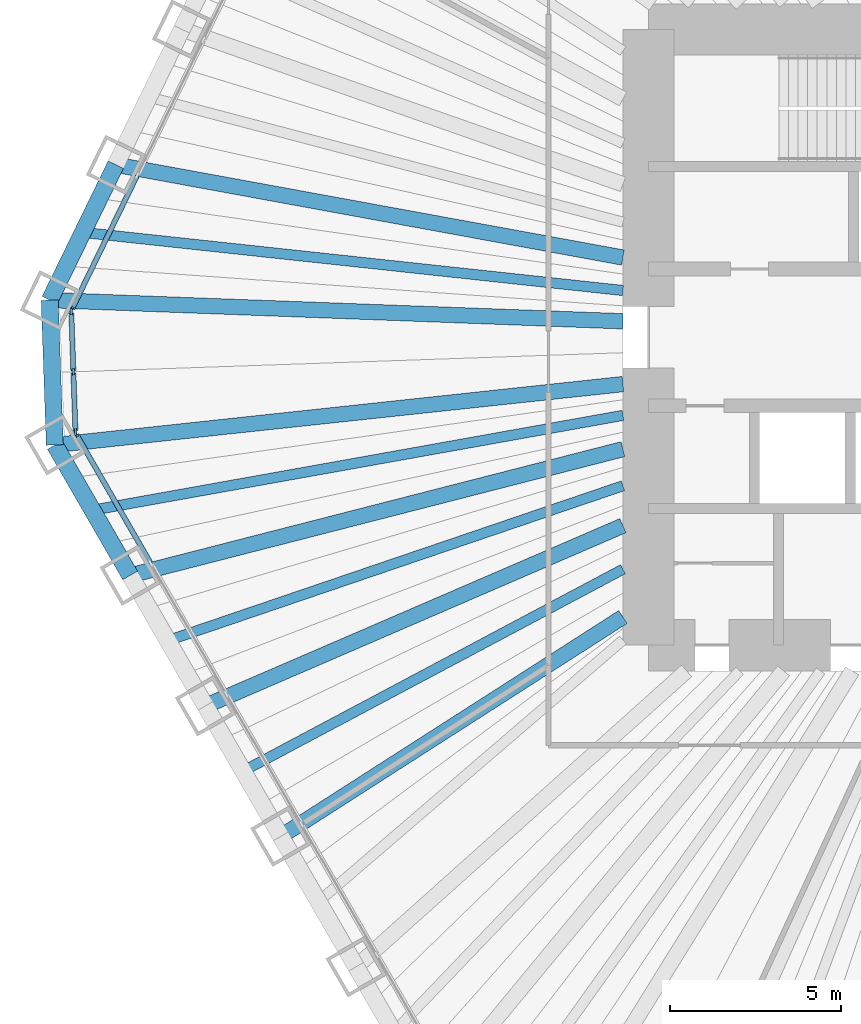
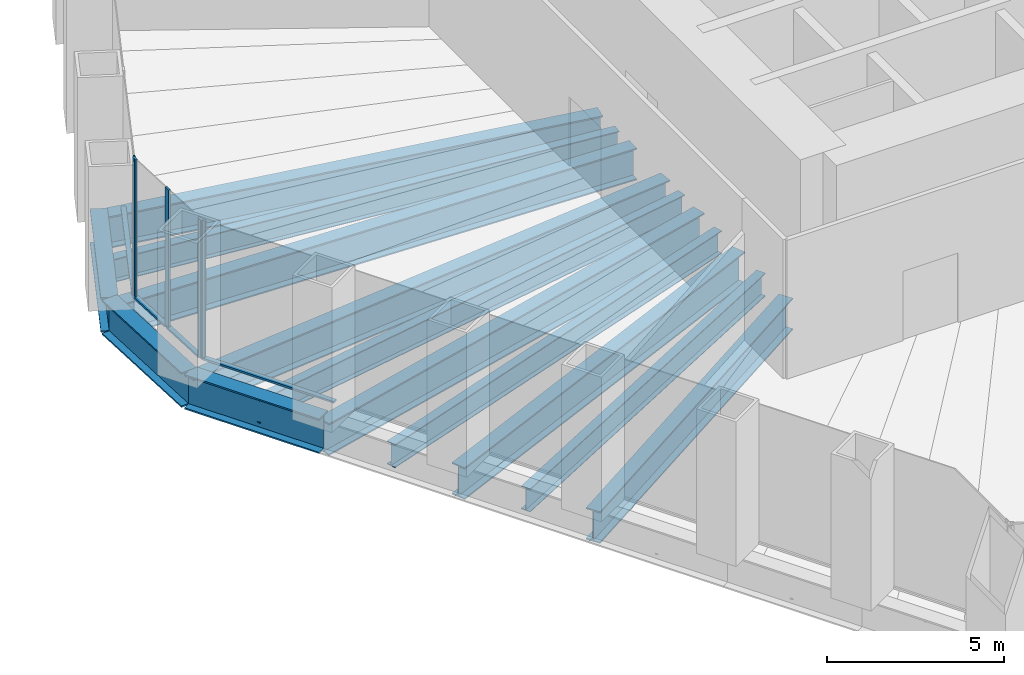
# One storey, part 3 of 14: 13 beams, 9 members, 3 elements without a shape of their own.
"""IFC4 building model written with IfcOpenShell, lengths in metres."""

from ifc_helpers import new_model, si_unit, direction, frame, origin, origin_2d, place, context, subcontext, project, spatial, rectangle, i_section, extrude, material, material_profile, profile_set, type_object, element, aggregate, save


model = new_model("IFC4")

# Units and contexts
model_context = context("Model", 3, precision=1e-05, world=origin(), true_north=direction((0.0, 1.0)))
body_context = subcontext(model_context, "Body", "Model", "MODEL_VIEW")
ifc_project = project(units=[si_unit("LENGTHUNIT", "METRE"), si_unit("AREAUNIT", "SQUARE_METRE"), si_unit("VOLUMEUNIT", "CUBIC_METRE"), si_unit("PLANEANGLEUNIT", "RADIAN"), si_unit("MASSUNIT", "GRAM", prefix="KILO")], contexts=[model_context])

# Site, building, storey
site_placement = place(None, origin())
site = spatial("IfcSite", under=ifc_project, at=site_placement, CompositionType="ELEMENT")
building_placement = place(site_placement, origin())
building = spatial("IfcBuilding", under=site, at=building_placement, Name="Qingtian Harvest Tower", CompositionType="ELEMENT")
storey_placement = place(building_placement, frame((0.0, 0.0, 52.0)))
storey = spatial("IfcBuildingStorey", under=building, at=storey_placement, Name="L10", CompositionType="ELEMENT", Elevation=52.0)

# Beams
ifc_material_1 = material(Name="Steel SM570MC", Category="steel")
ifc_material_profile_1 = material_profile(ifc_material_1, i_section(OverallWidth=0.449951171875, OverallDepth=1.10009765625, WebThickness=0.02197265625, FlangeThickness=0.044921875, at=origin_2d()), Name="H1100x450x22x45")
ifc_profile_set_1 = profile_set([ifc_material_profile_1], Name="Steel SM570MC")
beam_type_1 = type_object("IfcBeamType", Name="Corner floor beam FB8 H1100x450x22x45", PredefinedType="BEAM", material=ifc_profile_set_1)
beam_1_placement = place(storey_placement, frame((-29.36083984375, -3.145751953125, -0.75), z_axis=(0.994308822197, 0.106536219669, 0.0), x_axis=(-0.106536219669, 0.994308822197, 0.0)))
element("IfcBeam", 1, at=beam_1_placement, inside=storey, type_object=beam_type_1, Name="Floor beam FB8 SW6", PredefinedType="BEAM", context=body_context, shape_type="SweptSolid", body=[
    extrude(i_section(OverallWidth=0.449951171875, OverallDepth=1.10009765625, WebThickness=0.02197265625, FlangeThickness=0.044921875, at=origin_2d()), origin(), (0.0, 0.0, 1.0), 16.705810546875),
])
beam_2_placement = place(storey_placement, frame((-29.5087890625, 1.08984375, -0.75), z_axis=(0.999318796571, -0.036904509488, 0.0), x_axis=(0.036904509488, 0.999318796571, 0.0)))
element("IfcBeam", 2, at=beam_2_placement, inside=storey, type_object=beam_type_1, Name="Floor beam FB8 NW0", PredefinedType="BEAM", context=body_context, shape_type="SweptSolid", body=[
    extrude(i_section(OverallWidth=0.449951171875, OverallDepth=1.10009765625, WebThickness=0.02197265625, FlangeThickness=0.044921875, at=origin_2d()), origin(), (0.0, 0.0, 1.0), 16.770263671875),
])
ifc_material_2 = material(Name="Steel SM570MC", Category="steel")
ifc_material_profile_2 = material_profile(ifc_material_2, i_section(OverallWidth=0.449951171875, OverallDepth=1.10009765625, WebThickness=0.02197265625, FlangeThickness=0.044921875, at=origin_2d()), Name="H1100x450x22x45")
ifc_profile_set_2 = profile_set([ifc_material_profile_2], Name="Steel SM570MC")
beam_type_2 = type_object("IfcBeamType", Name="Floor beam FB1 H1100x450x22x45", PredefinedType="BEAM", material=ifc_profile_set_2)
beam_3_placement = place(storey_placement, frame((-22.75390625, -14.589111328125, -0.75), z_axis=(0.841829353865, 0.539743771591, 0.0), x_axis=(-0.539743771591, 0.841829353865, 0.0)))
element("IfcBeam", 3, at=beam_3_placement, inside=storey, type_object=beam_type_2, Name="Floor beam FB1 SW3", PredefinedType="BEAM", context=body_context, shape_type="SweptSolid", body=[
    extrude(i_section(OverallWidth=0.449951171875, OverallDepth=1.10009765625, WebThickness=0.02197265625, FlangeThickness=0.044921875, at=origin_2d()), origin(), (0.0, 0.0, 1.0), 11.883544921875),
])
beam_4_placement = place(storey_placement, frame((-24.9560546875, -10.774658203125, -0.75), z_axis=(0.918083617325, 0.396386770213, 0.0), x_axis=(-0.396386770213, 0.918083617325, 0.0)))
element("IfcBeam", 4, at=beam_4_placement, inside=storey, type_object=beam_type_2, Name="Floor beam FB1 SW4", PredefinedType="BEAM", context=body_context, shape_type="SweptSolid", body=[
    extrude(i_section(OverallWidth=0.449951171875, OverallDepth=1.10009765625, WebThickness=0.02197265625, FlangeThickness=0.044921875, at=origin_2d()), origin(), (0.0, 0.0, 1.0), 13.295166015625),
])
beam_5_placement = place(storey_placement, frame((-27.158447265625, -6.960205078125, -0.75), z_axis=(0.968693729942, 0.248258851947, 0.0), x_axis=(-0.248258851947, 0.968693729942, 0.0)))
element("IfcBeam", 5, at=beam_5_placement, inside=storey, type_object=beam_type_2, Name="Floor beam FB1 SW5", PredefinedType="BEAM", context=body_context, shape_type="SweptSolid", body=[
    extrude(i_section(OverallWidth=0.449951171875, OverallDepth=1.10009765625, WebThickness=0.02197265625, FlangeThickness=0.044921875, at=origin_2d()), origin(), (0.0, 0.0, 1.0), 14.8740234375),
])
beam_6_placement = place(storey_placement, frame((-27.577880859375, 5.048828125, -0.75), z_axis=(0.98365177106, -0.180081074215, 0.0), x_axis=(0.180081074215, 0.98365177106, 0.0)))
element("IfcBeam", 6, at=beam_6_placement, inside=storey, type_object=beam_type_2, Name="Floor beam FB1 NW1", PredefinedType="BEAM", context=body_context, shape_type="SweptSolid", body=[
    extrude(i_section(OverallWidth=0.449951171875, OverallDepth=1.10009765625, WebThickness=0.02197265625, FlangeThickness=0.044921875, at=origin_2d()), origin(), (0.0, 0.0, 1.0), 15.07421875),
])
ifc_material_3 = material(Name="Steel SN490B", Category="steel")
ifc_material_profile_3 = material_profile(ifc_material_3, i_section(OverallWidth=0.300048828125, OverallDepth=0.800048828125, WebThickness=0.013916015625, FlangeThickness=0.02587890625, at=origin_2d()), Name="H800x300x14x26")
ifc_profile_set_3 = profile_set([ifc_material_profile_3], Name="Steel SN490B")
beam_type_3 = type_object("IfcBeamType", Name="Floor joist J1 H800x300x14x26", PredefinedType="JOIST", material=ifc_profile_set_3)
beam_7_placement = place(storey_placement, frame((-23.85498046875, -12.681884765625, -0.60009765625), z_axis=(0.882982474604, 0.469405953885, 0.0), x_axis=(-0.469405953885, 0.882982474604, 0.0)))
element("IfcBeam", 7, at=beam_7_placement, inside=storey, type_object=beam_type_3, Name="Floor joist J1 SW3", PredefinedType="JOIST", context=body_context, shape_type="SweptSolid", body=[
    extrude(i_section(OverallWidth=0.300048828125, OverallDepth=0.800048828125, WebThickness=0.013916015625, FlangeThickness=0.02587890625, at=origin_2d()), origin(), (0.0, 0.0, 1.0), 12.57666015625),
])
beam_8_placement = place(storey_placement, frame((-26.057373046875, -8.867431640625, -0.60009765625), z_axis=(0.946684735425, 0.322161468387, 0.0), x_axis=(-0.322161468387, 0.946684735425, 0.0)))
element("IfcBeam", 8, at=beam_8_placement, inside=storey, type_object=beam_type_3, Name="Floor joist J1 SW4", PredefinedType="JOIST", context=body_context, shape_type="SweptSolid", body=[
    extrude(i_section(OverallWidth=0.300048828125, OverallDepth=0.800048828125, WebThickness=0.013916015625, FlangeThickness=0.02587890625, at=origin_2d()), origin(), (0.0, 0.0, 1.0), 14.056884765625),
])
beam_9_placement = place(storey_placement, frame((-28.259521484375, -5.052978515625, -0.60009765625), z_axis=(0.984387614034, 0.176014275943, 0.0), x_axis=(-0.176014275943, 0.984387614034, 0.0)))
element("IfcBeam", 9, at=beam_9_placement, inside=storey, type_object=beam_type_3, Name="Floor joist J1 SW5", PredefinedType="JOIST", context=body_context, shape_type="SweptSolid", body=[
    extrude(i_section(OverallWidth=0.300048828125, OverallDepth=0.800048828125, WebThickness=0.013916015625, FlangeThickness=0.02587890625, at=origin_2d()), origin(), (0.0, 0.0, 1.0), 15.755615234375),
])
beam_10_placement = place(storey_placement, frame((-28.543212890625, 3.0693359375, -0.60009765625), z_axis=(0.994268320665, -0.106913546948, 0.0), x_axis=(0.106913546948, 0.994268320665, 0.0)))
element("IfcBeam", 10, at=beam_10_placement, inside=storey, type_object=beam_type_3, Name="Floor joist J1 NW0", PredefinedType="JOIST", context=body_context, shape_type="SweptSolid", body=[
    extrude(i_section(OverallWidth=0.300048828125, OverallDepth=0.800048828125, WebThickness=0.013916015625, FlangeThickness=0.02587890625, at=origin_2d()), origin(), (0.0, 0.0, 1.0), 15.88427734375),
])

# Curtain wall, member
ifc_material_4 = material(Name="Bronze-anodised aluminium curtain wall", Category="aluminium")
curtain_wall_type = type_object("IfcCurtainWallType", Name="Curtain wall CW2 farm reception", PredefinedType="USERDEFINED", material=ifc_material_4)
curtain_wall_1_placement = place(storey_placement, origin())
curtain_wall_1 = element("IfcCurtainWall", 11, at=curtain_wall_1_placement, inside=storey, type_object=curtain_wall_type, Name="Curtain wall CW2 L10 SW0-5", ObjectType="RECESSED CURTAIN WALL", PredefinedType="USERDEFINED")
ifc_material_5 = material(Name="Bronze-anodised aluminium mullion", Category="aluminium")
ifc_material_profile_4 = material_profile(ifc_material_5, rectangle(XDim=0.06494140625, YDim=0.199951171875, at=origin_2d()), Name="AL 65x200")
ifc_profile_set_4 = profile_set([ifc_material_profile_4], Name="Bronze-anodised aluminium mullion")
member_type_1 = type_object("IfcMemberType", Name="Mullion CWM 65x200", PredefinedType="MULLION", material=ifc_profile_set_4)
member_1_placement = place(storey_placement, frame((-28.73828125, -2.82373046875, 0.0), z_axis=(0.0, 0.0, 1.0), x_axis=(-0.866025403784, -0.5, 0.0)))
member_1 = element("IfcMember", 12, at=member_1_placement, type_object=member_type_1, Name="CW2 mullion 7", PredefinedType="MULLION", context=body_context, shape_type="SweptSolid", body=[
    extrude(rectangle(XDim=0.06494140625, YDim=0.199951171875, at=origin_2d()), origin(), (0.0, 0.0, 1.0), 4.800048828125),
])

# Curtain wall, members
curtain_wall_2_placement = place(storey_placement, origin())
curtain_wall_2 = element("IfcCurtainWall", 13, at=curtain_wall_2_placement, inside=storey, type_object=curtain_wall_type, Name="Curtain wall CW2 L10 SWC", ObjectType="RECESSED CURTAIN WALL", PredefinedType="USERDEFINED")
member_2_placement = place(storey_placement, frame((-28.755615234375, -2.76318359375, 0.0), z_axis=(0.0, 0.0, 1.0), x_axis=(-0.999390827019, -0.034899496703, 0.0)))
member_2 = element("IfcMember", 14, at=member_2_placement, type_object=member_type_1, Name="CW2 mullion 1", PredefinedType="MULLION", context=body_context, shape_type="SweptSolid", body=[
    extrude(rectangle(XDim=0.06494140625, YDim=0.199951171875, at=origin_2d()), origin(), (0.0, 0.0, 1.0), 4.800048828125),
])
member_3_placement = place(storey_placement, frame((-28.817138671875, -1.00634765625, 0.0), z_axis=(0.0, 0.0, 1.0), x_axis=(-0.999390827019, -0.034899496703, 0.0)))
member_3 = element("IfcMember", 15, at=member_3_placement, type_object=member_type_1, Name="CW2 mullion 2", PredefinedType="MULLION", context=body_context, shape_type="SweptSolid", body=[
    extrude(rectangle(XDim=0.06494140625, YDim=0.199951171875, at=origin_2d()), origin(), (0.0, 0.0, 1.0), 4.800048828125),
])
member_4_placement = place(storey_placement, frame((-28.87841796875, 0.75048828125, 0.0), z_axis=(0.0, 0.0, 1.0), x_axis=(-0.999390827019, -0.034899496703, 0.0)))
member_4 = element("IfcMember", 16, at=member_4_placement, type_object=member_type_1, Name="CW2 mullion 3", PredefinedType="MULLION", context=body_context, shape_type="SweptSolid", body=[
    extrude(rectangle(XDim=0.06494140625, YDim=0.199951171875, at=origin_2d()), origin(), (0.0, 0.0, 1.0), 4.800048828125),
])

# Curtain wall, member
curtain_wall_3_placement = place(storey_placement, origin())
curtain_wall_3 = element("IfcCurtainWall", 17, at=curtain_wall_3_placement, inside=storey, type_object=curtain_wall_type, Name="Curtain wall CW2 L10 NW0-5", ObjectType="RECESSED CURTAIN WALL", PredefinedType="USERDEFINED")
member_5_placement = place(storey_placement, frame((-28.865234375, 0.812255859375, 0.0), z_axis=(0.0, 0.0, 1.0), x_axis=(-0.898794046299, 0.438371146789, 0.0)))
member_5 = element("IfcMember", 18, at=member_5_placement, type_object=member_type_1, Name="CW2 mullion 1", PredefinedType="MULLION", context=body_context, shape_type="SweptSolid", body=[
    extrude(rectangle(XDim=0.06494140625, YDim=0.199951171875, at=origin_2d()), origin(), (0.0, 0.0, 1.0), 4.800048828125),
])

# Beams
ifc_material_6 = material(Name="Steel SM570MC", Category="steel")
ifc_material_profile_5 = material_profile(ifc_material_6, i_section(OverallWidth=0.5, OverallDepth=1.199951171875, WebThickness=0.02490234375, FlangeThickness=0.050048828125, at=origin_2d()), Name="H1200x500x25x50")
ifc_profile_set_5 = profile_set([ifc_material_profile_5], Name="Steel SM570MC")
beam_type_4 = type_object("IfcBeamType", Name="Spandrel beam SB1 H1200x500x25x50", PredefinedType="SPANDREL", material=ifc_profile_set_5)
beam_11_placement = place(storey_placement, frame((-27.158447265625, -6.960205078125, -0.60009765625), z_axis=(-0.50001992892, 0.866013897511, 0.0), x_axis=(-0.866013897511, -0.50001992892, 0.0)))
element("IfcBeam", 19, at=beam_11_placement, inside=storey, type_object=beam_type_4, Name="Spandrel SB1 SW5", PredefinedType="SPANDREL", context=body_context, shape_type="SweptSolid", body=[
    extrude(i_section(OverallWidth=0.5, OverallDepth=1.199951171875, WebThickness=0.02490234375, FlangeThickness=0.050048828125, at=origin_2d()), origin(), (0.0, 0.0, 1.0), 4.404541015625),
])
beam_12_placement = place(storey_placement, frame((-29.36083984375, -3.145751953125, -0.60009765625), z_axis=(-0.034908677553, 0.999390506375, 0.0), x_axis=(-0.999390506375, -0.034908677553, 0.0)))
element("IfcBeam", 20, at=beam_12_placement, inside=storey, type_object=beam_type_4, Name="Spandrel SB1 SWC", PredefinedType="SPANDREL", context=body_context, shape_type="SweptSolid", body=[
    extrude(i_section(OverallWidth=0.5, OverallDepth=1.199951171875, WebThickness=0.02490234375, FlangeThickness=0.050048828125, at=origin_2d()), origin(), (0.0, 0.0, 1.0), 4.23828125),
])
beam_13_placement = place(storey_placement, frame((-29.5087890625, 1.08984375, -0.60009765625), z_axis=(0.438367938366, 0.898795611145, 0.0), x_axis=(-0.898795611145, 0.438367938366, 0.0)))
element("IfcBeam", 21, at=beam_13_placement, inside=storey, type_object=beam_type_4, Name="Spandrel SB1 NW0", PredefinedType="SPANDREL", context=body_context, shape_type="SweptSolid", body=[
    extrude(i_section(OverallWidth=0.5, OverallDepth=1.199951171875, WebThickness=0.02490234375, FlangeThickness=0.050048828125, at=origin_2d()), origin(), (0.0, 0.0, 1.0), 4.40478515625),
])

# Member
ifc_material_7 = material(Name="Bronze-anodised aluminium transom", Category="aluminium")
ifc_material_profile_6 = material_profile(ifc_material_7, rectangle(XDim=0.14990234375, YDim=0.06494140625, at=origin_2d()), Name="AL 65x150")
ifc_profile_set_6 = profile_set([ifc_material_profile_6], Name="Bronze-anodised aluminium transom")
member_type_2 = type_object("IfcMemberType", Name="Transom CWT 65x150", PredefinedType="USERDEFINED", material=ifc_profile_set_6)
member_6_placement = place(storey_placement, frame((-26.568603515625, -6.58203125, 0.032470703125), z_axis=(-0.499967798808, 0.866043994353, 0.0), x_axis=(-0.866043994353, -0.499967798808, 0.0)))
member_6 = element("IfcMember", 22, at=member_6_placement, type_object=member_type_2, Name="CW2 transom 6.1", ObjectType="TRANSOM", PredefinedType="USERDEFINED", context=body_context, shape_type="SweptSolid", body=[
    extrude(rectangle(XDim=0.14990234375, YDim=0.06494140625, at=origin_2d()), origin(), (0.0, 0.0, 1.0), 4.306884765625),
])

aggregate(curtain_wall_1, [member_1, member_6])

member_7_placement = place(storey_placement, frame((-28.7568359375, -2.730712890625, 0.032470703125), z_axis=(-0.034899362377, 0.99939083171, 0.0), x_axis=(-0.99939083171, -0.034899362377, 0.0)))
member_7 = element("IfcMember", 23, at=member_7_placement, type_object=member_type_2, Name="CW2 transom 1.1", ObjectType="TRANSOM", PredefinedType="USERDEFINED", context=body_context, shape_type="SweptSolid", body=[
    extrude(rectangle(XDim=0.14990234375, YDim=0.06494140625, at=origin_2d()), origin(), (0.0, 0.0, 1.0), 1.69287109375),
])

member_8_placement = place(storey_placement, frame((-28.818115234375, -0.973876953125, 0.032470703125), z_axis=(-0.034899362377, 0.99939083171, 0.0), x_axis=(-0.99939083171, -0.034899362377, 0.0)))
member_8 = element("IfcMember", 24, at=member_8_placement, type_object=member_type_2, Name="CW2 transom 2.1", ObjectType="TRANSOM", PredefinedType="USERDEFINED", context=body_context, shape_type="SweptSolid", body=[
    extrude(rectangle(XDim=0.14990234375, YDim=0.06494140625, at=origin_2d()), origin(), (0.0, 0.0, 1.0), 1.69287109375),
])

aggregate(curtain_wall_2, [member_2, member_3, member_4, member_7, member_8])

member_9_placement = place(storey_placement, frame((-28.85107421875, 0.841552734375, 0.032470703125), z_axis=(0.438394595167, 0.898782609383, 0.0), x_axis=(-0.898782609383, 0.438394595167, 0.0)))
member_9 = element("IfcMember", 25, at=member_9_placement, type_object=member_type_2, Name="CW2 transom 1.1", ObjectType="TRANSOM", PredefinedType="USERDEFINED", context=body_context, shape_type="SweptSolid", body=[
    extrude(rectangle(XDim=0.14990234375, YDim=0.06494140625, at=origin_2d()), origin(), (0.0, 0.0, 1.0), 4.30712890625),
])

aggregate(curtain_wall_3, [member_5, member_9])

save(model, "model.ifc")
